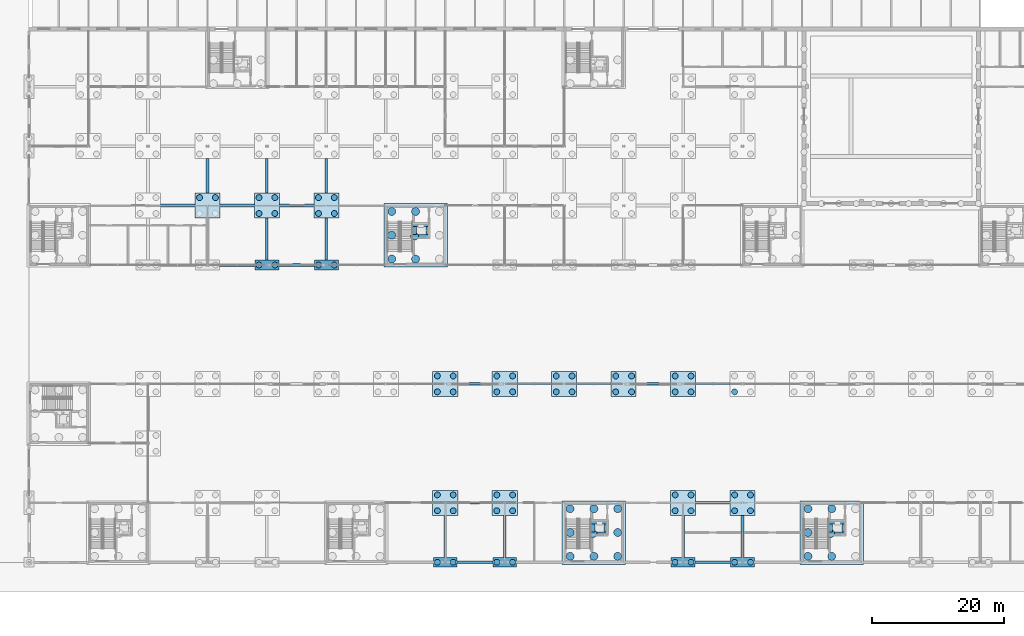
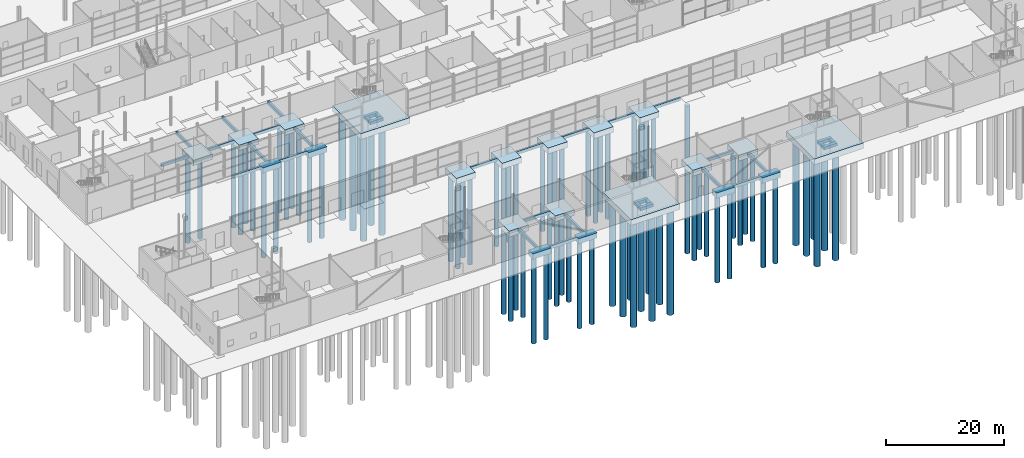
# One storey, part 2 of 97: 80 piles, 56 footings.
"""IFC4 building model written with IfcOpenShell, lengths in metres."""

import ifcopenshell
import ifcopenshell.guid

model = None  # the IFC model being written
_history = None  # IfcOwnerHistory: only IFC2X3 demands one
_inside = {}  # id of a spatial element -> (the spatial element, [elements in it])
_under = {}  # id of a project, library or spatial element -> (it, [spatial elements below it])
_declared = {}  # id of a project -> (the project, [libraries it declares])
_typed = {}  # id of a type object -> (the type object, [elements of that type])
_made_of = {}  # id of a material, layer set ... -> (it, [elements and type objects made of it])


def new_model(schema):
    """Start an empty IFC model of exactly this schema.

    Asked for "IFC4X3", IfcOpenShell would pick the latest addendum, in which some entities
    have other attributes; the version numbers below select the first issue.
    IFC2X3 requires an IfcOwnerHistory on every rooted entity: one is made here for all.
    """
    global model, _history
    if schema == "IFC4X3":
        model = ifcopenshell.file(schema_version=(4, 3, 0, 0))
    else:
        model = ifcopenshell.file(schema=schema)
    _inside.clear()
    _under.clear()
    _declared.clear()
    _typed.clear()
    _made_of.clear()
    _history = None
    if model.schema == "IFC2X3":
        org = make("IfcOrganization", Name="unknown")
        user = make(
            "IfcPersonAndOrganization",
            ThePerson=make("IfcPerson", FamilyName="unknown"),
            TheOrganization=org,
        )
        app = make(
            "IfcApplication",
            ApplicationDeveloper=org,
            Version="unknown",
            ApplicationFullName="unknown",
            ApplicationIdentifier="unknown",
        )
        _history = make(
            "IfcOwnerHistory",
            OwningUser=user,
            OwningApplication=app,
            ChangeAction="ADDED",
            CreationDate=0,
        )
    return model


def make(cls, **values):
    """One entity of the class cls with the attributes given. An attribute that is None is left unset."""
    return model.create_entity(
        cls, **{name: value for name, value in values.items() if value is not None}
    )


def rooted(cls, **values):
    """An entity with a GlobalId (a new one), such as an element, a storey or a relation."""
    return make(cls, GlobalId=ifcopenshell.guid.new(), OwnerHistory=_history, **values)


def si_unit(unit_type, name, prefix=None):
    """IfcSIUnit, for example si_unit("LENGTHUNIT", "METRE", prefix="MILLI")."""
    return make("IfcSIUnit", UnitType=unit_type, Prefix=prefix, Name=name)


def assignment(units):
    """IfcUnitAssignment: the units of a project."""
    return None if units is None else make("IfcUnitAssignment", Units=units)


def point(xyz):
    """IfcCartesianPoint."""
    return None if xyz is None else make("IfcCartesianPoint", Coordinates=xyz)


def direction(xyz):
    """IfcDirection."""
    return None if xyz is None else make("IfcDirection", DirectionRatios=xyz)


def frame(location, z_axis=None, x_axis=None):
    """IfcAxis2Placement3D, a coordinate frame: its origin and axes. An axis left out is left unset."""
    return make(
        "IfcAxis2Placement3D",
        Location=point(location),
        Axis=direction(z_axis),
        RefDirection=direction(x_axis),
    )


def frame_2d(location, x_axis=None):
    """IfcAxis2Placement2D, a coordinate frame in the plane: its origin and x axis."""
    return make(
        "IfcAxis2Placement2D", Location=point(location), RefDirection=direction(x_axis)
    )


def origin():
    """The frame at (0, 0, 0) with its axes left unset."""
    return frame((0.0, 0.0, 0.0))


def origin_2d():
    """The frame at (0, 0) in the plane with its x axis left unset."""
    return frame_2d((0.0, 0.0))


def place(relative_to, where):
    """IfcLocalPlacement: puts the frame where relative to a parent placement (None: the world)."""
    return make(
        "IfcLocalPlacement", PlacementRelTo=relative_to, RelativePlacement=where
    )


def context(
    kind, dimensions, precision=None, world=None, true_north=None, identifier=None
):
    """IfcGeometricRepresentationContext, for example the 3D "Model" context."""
    return make(
        "IfcGeometricRepresentationContext",
        ContextIdentifier=identifier,
        ContextType=kind,
        CoordinateSpaceDimension=dimensions,
        Precision=precision,
        WorldCoordinateSystem=world,
        TrueNorth=true_north,
    )


def subcontext(parent, identifier, kind, view, scale=None):
    """IfcGeometricRepresentationSubContext, for example "Body" below "Model"."""
    return make(
        "IfcGeometricRepresentationSubContext",
        ContextIdentifier=identifier,
        ContextType=kind,
        ParentContext=parent,
        TargetScale=scale,
        TargetView=view,
    )


def project(units=None, contexts=None):
    """IfcProject with its units and contexts."""
    return rooted(
        "IfcProject",
        Name="project",
        RepresentationContexts=contexts,
        UnitsInContext=assignment(units),
    )


def spatial(cls, under=None, at=None, **own):
    """A site, building, storey or space (cls), placed at a placement, below another one or the project."""
    s = rooted(cls, ObjectPlacement=at, **own)
    if under is not None:
        _under.setdefault(under.id(), (under, []))[1].append(s)
    return s


def polyline(points):
    """IfcPolyline through the points."""
    return make("IfcPolyline", Points=[point(p) for p in points])


def profile(cls, at=None, kind="AREA", **sizes):
    """A parametric profile (cls). Its sizes go by their IFC names, for example OverallWidth=200.0."""
    return make(cls, ProfileType=kind, Position=at, **sizes)


def rectangle(**sizes):
    """IfcRectangleProfileDef."""
    return profile("IfcRectangleProfileDef", **sizes)


def circle(**sizes):
    """IfcCircleProfileDef."""
    return profile("IfcCircleProfileDef", **sizes)


def outline(outer, holes=None, kind="AREA"):
    """IfcArbitraryClosedProfileDef: a profile drawn as a closed curve; with holes, ...WithVoids."""
    if holes is None:
        return make("IfcArbitraryClosedProfileDef", ProfileType=kind, OuterCurve=outer)
    return make(
        "IfcArbitraryProfileDefWithVoids",
        ProfileType=kind,
        OuterCurve=outer,
        InnerCurves=holes,
    )


def extrude(swept, where, along, depth):
    """IfcExtrudedAreaSolid: the profile swept, set in the frame where, extruded along a direction by depth."""
    return make(
        "IfcExtrudedAreaSolid",
        SweptArea=swept,
        Position=where,
        ExtrudedDirection=direction(along),
        Depth=depth,
    )


def shape(context_of_items, identifier, shape_type, items):
    """IfcShapeRepresentation: the items that make up one representation, for example the "Body"."""
    return make(
        "IfcShapeRepresentation",
        ContextOfItems=context_of_items,
        RepresentationIdentifier=identifier,
        RepresentationType=shape_type,
        Items=items,
    )


def material(Name=None, Category=None):
    """IfcMaterial."""
    return make("IfcMaterial", Name=Name, Category=Category)


def material_profile(
    of_material, cross_section, Name=None, Category=None, Priority=None
):
    """IfcMaterialProfile: a cross section and its material."""
    return make(
        "IfcMaterialProfile",
        Name=Name,
        Material=of_material,
        Profile=cross_section,
        Priority=Priority,
        Category=Category,
    )


def profile_set(profiles, Name=None, composite=None):
    """IfcMaterialProfileSet."""
    return make(
        "IfcMaterialProfileSet",
        Name=Name,
        MaterialProfiles=profiles,
        CompositeProfile=composite,
    )


def made_of(thing, what):
    """Note that an element or type object is made of a material, layer set ...; save() writes the relation."""
    if what is not None:
        _made_of.setdefault(what.id(), (what, []))[1].append(thing)
    return thing


def type_object(cls, material=None, **own):
    """A type object (cls), such as IfcWallType, which elements share."""
    return made_of(rooted(cls, **own), material)


def element(
    cls,
    number,
    at=None,
    inside=None,
    cuts=None,
    type_object=None,
    material=None,
    context=None,
    identifier="Body",
    shape_type=None,
    held_by="IfcProductDefinitionShape",
    body=None,
    shapes=None,
    **own,
):
    """One element of the class cls, such as IfcWall. Its Tag is "e" and its number.

    at: its placement. inside: the storey or other place that contains it. cuts: it is an
    opening in that element (IfcRelVoidsElement). A single representation is given by context,
    identifier, shape_type and body (its items); several are given by shapes. held_by: the class
    of the entity that holds the representations. save() writes the other relations.
    """
    e = rooted(cls, Tag="e%d" % number, ObjectPlacement=at, **own)
    if body is not None:
        shapes = [shape(context, identifier, shape_type, body)]
    if shapes is not None:
        e.Representation = make(held_by, Representations=shapes)
    if inside is not None:
        _inside.setdefault(inside.id(), (inside, []))[1].append(e)
    if cuts is not None:
        rooted(
            "IfcRelVoidsElement", RelatingBuildingElement=cuts, RelatedOpeningElement=e
        )
    if type_object is not None:
        _typed.setdefault(type_object.id(), (type_object, []))[1].append(e)
    return made_of(e, material)


def aggregate(whole, parts):
    """IfcRelAggregates: a whole, such as a stair, and the parts it consists of."""
    return rooted("IfcRelAggregates", RelatingObject=whole, RelatedObjects=parts)


def save(model, path):
    """Write the relations noted so far, then the file.

    IfcRelAggregates (storeys below a building ...), IfcRelContainedInSpatialStructure (elements
    in a storey), IfcRelDefinesByType, IfcRelAssociatesMaterial and IfcRelDeclares: one each for
    every whole, place, type object, material and project.
    """
    for whole, parts in _under.values():
        aggregate(whole, parts)
    for where, things in _inside.values():
        rooted(
            "IfcRelContainedInSpatialStructure",
            RelatedElements=things,
            RelatingStructure=where,
        )
    for kind, things in _typed.values():
        rooted("IfcRelDefinesByType", RelatedObjects=things, RelatingType=kind)
    for what, things in _made_of.values():
        rooted("IfcRelAssociatesMaterial", RelatedObjects=things, RelatingMaterial=what)
    for by, libraries in _declared.values():
        rooted("IfcRelDeclares", RelatingContext=by, RelatedDefinitions=libraries)
    model.write(path)


model = new_model("IFC4")

# Units and contexts
model_context = context("Model", 3, precision=1e-05, world=origin(), true_north=direction((0.0, 1.0)))
body_context = subcontext(model_context, "Body", "Model", "MODEL_VIEW")
ifc_project = project(units=[si_unit("LENGTHUNIT", "METRE"), si_unit("AREAUNIT", "SQUARE_METRE"), si_unit("VOLUMEUNIT", "CUBIC_METRE"), si_unit("PLANEANGLEUNIT", "RADIAN"), si_unit("MASSUNIT", "GRAM", prefix="KILO")], contexts=[model_context])

# Site, building, storey
site_placement = place(None, origin())
site = spatial("IfcSite", under=ifc_project, at=site_placement, CompositionType="ELEMENT")
building_placement = place(site_placement, origin())
building = spatial("IfcBuilding", under=site, at=building_placement, Name="Corbel Yard City Hall", CompositionType="ELEMENT")
storey_placement = place(building_placement, origin())
storey = spatial("IfcBuildingStorey", under=building, at=storey_placement, Name="L00", CompositionType="ELEMENT", Elevation=0.0)

# Piles
ifc_material = material(Name="Concrete N40 (40 MPa)", Category="concrete")
ifc_material_profile_1 = material_profile(ifc_material, circle(Radius=0.60009765625, at=origin_2d()), Name="D1200")
ifc_profile_set_1 = profile_set([ifc_material_profile_1], Name="Concrete N40 (40 MPa)")
pile_type_1 = type_object("IfcPileType", Name="Bored pile D1200", PredefinedType="BORED", material=ifc_profile_set_1)
for number, where, z_axis, x_axis, name in (
    (1, (81.89990234375, 0.89990234375, -1.10009765625), (0.0, 0.0, -1.0), (1.0, 0.0, 0.0), "Bored pile D1200 under core raft PC13"),
    (2, (81.89990234375, 4.5, -1.10009765625), (0.0, 0.0, -1.0), (1.0, 0.0, 0.0), "Bored pile D1200 under core raft PC13"),
    (3, (81.89990234375, 8.10009765625, -1.10009765625), (0.0, 0.0, -1.0), (1.0, 0.0, 0.0), "Bored pile D1200 under core raft PC13"),
    (4, (85.5, 0.89990234375, -1.10009765625), (0.0, 0.0, -1.0), (1.0, 0.0, 0.0), "Bored pile D1200 under core raft PC13"),
    (5, (85.35009765625, 4.35009765625, -1.10009765625), (0.0, 0.0, -1.0), (1.0, 0.0, 0.0), "Bored pile D1200 under core raft PC13"),
    (6, (85.5, 8.10009765625, -1.10009765625), (0.0, 0.0, -1.0), (1.0, 0.0, 0.0), "Bored pile D1200 under core raft PC13"),
    (7, (89.10009765625, 0.89990234375, -1.10009765625), (0.0, 0.0, -1.0), (1.0, 0.0, 0.0), "Bored pile D1200 under core raft PC13"),
    (8, (89.10009765625, 4.5, -1.10009765625), (0.0, 0.0, -1.0), (1.0, 0.0, 0.0), "Bored pile D1200 under core raft PC13"),
    (9, (89.10009765625, 8.10009765625, -1.10009765625), (0.0, 0.0, -1.0), (1.0, 0.0, 0.0), "Bored pile D1200 under core raft PC13"),
    (10, (117.89990234375, 0.89990234375, -1.10009765625), (0.0, 0.0, -1.0), (1.0, 0.0, 0.0), "Bored pile D1200 under core raft PC13"),
    (11, (117.89990234375, 4.5, -1.10009765625), (0.0, 0.0, -1.0), (1.0, 0.0, 0.0), "Bored pile D1200 under core raft PC13"),
    (12, (117.89990234375, 8.10009765625, -1.10009765625), (0.0, 0.0, -1.0), (1.0, 0.0, 0.0), "Bored pile D1200 under core raft PC13"),
    (13, (121.5, 0.89990234375, -1.10009765625), (0.0, 0.0, -1.0), (1.0, 0.0, 0.0), "Bored pile D1200 under core raft PC13"),
    (14, (121.35009765625, 4.35009765625, -1.10009765625), (0.0, 0.0, -1.0), (1.0, 0.0, 0.0), "Bored pile D1200 under core raft PC13"),
    (15, (121.5, 8.10009765625, -1.10009765625), (0.0, 0.0, -1.0), (1.0, 0.0, 0.0), "Bored pile D1200 under core raft PC13"),
    (16, (54.89990234375, 45.89990234375, -1.10009765625), (0.0, 0.0, -1.0), (1.0, 0.0, 0.0), "Bored pile D1200 under core raft PC13"),
    (17, (54.89990234375, 49.5, -1.10009765625), (0.0, 0.0, -1.0), (1.0, 0.0, 0.0), "Bored pile D1200 under core raft PC13"),
    (18, (54.89990234375, 53.10009765625, -1.10009765625), (0.0, 0.0, -1.0), (1.0, 0.0, 0.0), "Bored pile D1200 under core raft PC13"),
    (19, (58.5, 45.89990234375, -1.10009765625), (0.0, 0.0, -1.0), (1.0, 0.0, 0.0), "Bored pile D1200 under core raft PC13"),
    (20, (58.35009765625, 49.35009765625, -1.10009765625), (0.0, 0.0, -1.0), (1.0, 0.0, 0.0), "Bored pile D1200 under core raft PC13"),
    (21, (58.5, 53.10009765625, -1.10009765625), (0.0, 0.0, -1.0), (1.0, 0.0, 0.0), "Bored pile D1200 under core raft PC13"),
):
    element("IfcPile", number, at=place(storey_placement, frame(where, z_axis=z_axis, x_axis=x_axis)), inside=storey, type_object=pile_type_1, Name=name, PredefinedType="BORED", context=body_context, shape_type="SweptSolid", body=[
        extrude(circle(Radius=0.60009765625, at=origin_2d()), origin(), (0.0, 0.0, 1.0), 22.0),
    ])
ifc_material_profile_2 = material_profile(ifc_material, circle(Radius=0.449951171875, at=origin_2d()), Name="D900")
ifc_profile_set_2 = profile_set([ifc_material_profile_2], Name="Concrete N40 (40 MPa)")
pile_type_2 = type_object("IfcPileType", Name="Bored pile D900", PredefinedType="BORED", material=ifc_profile_set_2)
for number, where, z_axis, x_axis, name in (
    (22, (25.800048828125, 55.199951171875, -1.0), (0.0, 0.0, -1.0), (1.0, 0.0, 0.0), "Bored pile D900 under cap PC3 G/4"),
    (23, (28.199951171875, 55.199951171875, -1.0), (0.0, 0.0, -1.0), (1.0, 0.0, 0.0), "Bored pile D900 under cap PC3 G/4"),
    (24, (34.800048828125, 45.0, -1.0), (0.0, 0.0, -1.0), (1.0, 0.0, 0.0), "Bored pile D900 under cap PC6 F/5"),
    (25, (37.199951171875, 45.0, -1.0), (0.0, 0.0, -1.0), (1.0, 0.0, 0.0), "Bored pile D900 under cap PC6 F/5"),
    (26, (34.800048828125, 52.800048828125, -1.0), (0.0, 0.0, -1.0), (1.0, 0.0, 0.0), "Bored pile D900 under cap PC3 G/5"),
    (27, (34.800048828125, 55.199951171875, -1.0), (0.0, 0.0, -1.0), (1.0, 0.0, 0.0), "Bored pile D900 under cap PC3 G/5"),
    (28, (37.199951171875, 52.800048828125, -1.0), (0.0, 0.0, -1.0), (1.0, 0.0, 0.0), "Bored pile D900 under cap PC3 G/5"),
    (29, (37.199951171875, 55.199951171875, -1.0), (0.0, 0.0, -1.0), (1.0, 0.0, 0.0), "Bored pile D900 under cap PC3 G/5"),
    (30, (43.800048828125, 45.0, -1.0), (0.0, 0.0, -1.0), (1.0, 0.0, 0.0), "Bored pile D900 under cap PC6 F/6"),
    (31, (46.199951171875, 45.0, -1.0), (0.0, 0.0, -1.0), (1.0, 0.0, 0.0), "Bored pile D900 under cap PC6 F/6"),
    (32, (43.800048828125, 52.800048828125, -1.0), (0.0, 0.0, -1.0), (1.0, 0.0, 0.0), "Bored pile D900 under cap PC3 G/6"),
    (33, (43.800048828125, 55.199951171875, -1.0), (0.0, 0.0, -1.0), (1.0, 0.0, 0.0), "Bored pile D900 under cap PC3 G/6"),
    (34, (46.199951171875, 52.800048828125, -1.0), (0.0, 0.0, -1.0), (1.0, 0.0, 0.0), "Bored pile D900 under cap PC3 G/6"),
    (35, (46.199951171875, 55.199951171875, -1.0), (0.0, 0.0, -1.0), (1.0, 0.0, 0.0), "Bored pile D900 under cap PC3 G/6"),
    (36, (61.800048828125, 0.0, -1.0), (0.0, 0.0, -1.0), (1.0, 0.0, 0.0), "Bored pile D900 under cap PC6 A/8"),
    (37, (64.199951171875, 0.0, -1.0), (0.0, 0.0, -1.0), (1.0, 0.0, 0.0), "Bored pile D900 under cap PC6 A/8"),
    (38, (61.800048828125, 7.800048828125, -1.10009765625), (0.0, 0.0, -1.0), (1.0, 0.0, 0.0), "Bored pile D900 under cap PC5 B/8"),
    (39, (61.800048828125, 10.199951171875, -1.10009765625), (0.0, 0.0, -1.0), (1.0, 0.0, 0.0), "Bored pile D900 under cap PC5 B/8"),
    (40, (64.199951171875, 7.800048828125, -1.10009765625), (0.0, 0.0, -1.0), (1.0, 0.0, 0.0), "Bored pile D900 under cap PC5 B/8"),
    (41, (64.199951171875, 10.199951171875, -1.10009765625), (0.0, 0.0, -1.0), (1.0, 0.0, 0.0), "Bored pile D900 under cap PC5 B/8"),
    (42, (61.800048828125, 25.800048828125, -1.10009765625), (0.0, 0.0, -1.0), (1.0, 0.0, 0.0), "Bored pile D900 under cap PC5 D/8"),
    (43, (61.800048828125, 28.199951171875, -1.10009765625), (0.0, 0.0, -1.0), (1.0, 0.0, 0.0), "Bored pile D900 under cap PC5 D/8"),
    (44, (64.199951171875, 25.800048828125, -1.10009765625), (0.0, 0.0, -1.0), (1.0, 0.0, 0.0), "Bored pile D900 under cap PC5 D/8"),
    (45, (64.199951171875, 28.199951171875, -1.10009765625), (0.0, 0.0, -1.0), (1.0, 0.0, 0.0), "Bored pile D900 under cap PC5 D/8"),
    (46, (70.800048828125, 0.0, -1.0), (0.0, 0.0, -1.0), (1.0, 0.0, 0.0), "Bored pile D900 under cap PC6 A/9"),
    (47, (73.199951171875, 0.0, -1.0), (0.0, 0.0, -1.0), (1.0, 0.0, 0.0), "Bored pile D900 under cap PC6 A/9"),
    (48, (70.800048828125, 7.800048828125, -1.10009765625), (0.0, 0.0, -1.0), (1.0, 0.0, 0.0), "Bored pile D900 under cap PC5 B/9"),
    (49, (70.800048828125, 10.199951171875, -1.10009765625), (0.0, 0.0, -1.0), (1.0, 0.0, 0.0), "Bored pile D900 under cap PC5 B/9"),
    (50, (73.199951171875, 7.800048828125, -1.10009765625), (0.0, 0.0, -1.0), (1.0, 0.0, 0.0), "Bored pile D900 under cap PC5 B/9"),
    (51, (73.199951171875, 10.199951171875, -1.10009765625), (0.0, 0.0, -1.0), (1.0, 0.0, 0.0), "Bored pile D900 under cap PC5 B/9"),
    (52, (70.800048828125, 25.800048828125, -1.10009765625), (0.0, 0.0, -1.0), (1.0, 0.0, 0.0), "Bored pile D900 under cap PC5 D/9"),
    (53, (70.800048828125, 28.199951171875, -1.10009765625), (0.0, 0.0, -1.0), (1.0, 0.0, 0.0), "Bored pile D900 under cap PC5 D/9"),
    (54, (73.199951171875, 25.800048828125, -1.10009765625), (0.0, 0.0, -1.0), (1.0, 0.0, 0.0), "Bored pile D900 under cap PC5 D/9"),
    (55, (73.199951171875, 28.199951171875, -1.10009765625), (0.0, 0.0, -1.0), (1.0, 0.0, 0.0), "Bored pile D900 under cap PC5 D/9"),
    (56, (79.800048828125, 25.800048828125, -1.10009765625), (0.0, 0.0, -1.0), (1.0, 0.0, 0.0), "Bored pile D900 under cap PC5 D/10"),
    (57, (79.800048828125, 28.199951171875, -1.10009765625), (0.0, 0.0, -1.0), (1.0, 0.0, 0.0), "Bored pile D900 under cap PC5 D/10"),
    (58, (82.199951171875, 25.800048828125, -1.10009765625), (0.0, 0.0, -1.0), (1.0, 0.0, 0.0), "Bored pile D900 under cap PC5 D/10"),
    (59, (82.199951171875, 28.199951171875, -1.10009765625), (0.0, 0.0, -1.0), (1.0, 0.0, 0.0), "Bored pile D900 under cap PC5 D/10"),
    (60, (88.800048828125, 25.800048828125, -1.10009765625), (0.0, 0.0, -1.0), (1.0, 0.0, 0.0), "Bored pile D900 under cap PC5 D/11"),
    (61, (88.800048828125, 28.199951171875, -1.10009765625), (0.0, 0.0, -1.0), (1.0, 0.0, 0.0), "Bored pile D900 under cap PC5 D/11"),
    (62, (91.199951171875, 25.800048828125, -1.10009765625), (0.0, 0.0, -1.0), (1.0, 0.0, 0.0), "Bored pile D900 under cap PC5 D/11"),
    (63, (91.199951171875, 28.199951171875, -1.10009765625), (0.0, 0.0, -1.0), (1.0, 0.0, 0.0), "Bored pile D900 under cap PC5 D/11"),
    (64, (97.800048828125, 0.0, -1.0), (0.0, 0.0, -1.0), (1.0, 0.0, 0.0), "Bored pile D900 under cap PC6 A/12"),
    (65, (100.199951171875, 0.0, -1.0), (0.0, 0.0, -1.0), (1.0, 0.0, 0.0), "Bored pile D900 under cap PC6 A/12"),
    (66, (97.800048828125, 7.800048828125, -1.10009765625), (0.0, 0.0, -1.0), (1.0, 0.0, 0.0), "Bored pile D900 under cap PC5 B/12"),
    (67, (97.800048828125, 10.199951171875, -1.10009765625), (0.0, 0.0, -1.0), (1.0, 0.0, 0.0), "Bored pile D900 under cap PC5 B/12"),
    (68, (100.199951171875, 7.800048828125, -1.10009765625), (0.0, 0.0, -1.0), (1.0, 0.0, 0.0), "Bored pile D900 under cap PC5 B/12"),
    (69, (100.199951171875, 10.199951171875, -1.10009765625), (0.0, 0.0, -1.0), (1.0, 0.0, 0.0), "Bored pile D900 under cap PC5 B/12"),
    (70, (97.800048828125, 25.800048828125, -1.10009765625), (0.0, 0.0, -1.0), (1.0, 0.0, 0.0), "Bored pile D900 under cap PC5 D/12"),
    (71, (97.800048828125, 28.199951171875, -1.10009765625), (0.0, 0.0, -1.0), (1.0, 0.0, 0.0), "Bored pile D900 under cap PC5 D/12"),
    (72, (100.199951171875, 25.800048828125, -1.10009765625), (0.0, 0.0, -1.0), (1.0, 0.0, 0.0), "Bored pile D900 under cap PC5 D/12"),
    (73, (100.199951171875, 28.199951171875, -1.10009765625), (0.0, 0.0, -1.0), (1.0, 0.0, 0.0), "Bored pile D900 under cap PC5 D/12"),
    (74, (106.800048828125, 0.0, -1.0), (0.0, 0.0, -1.0), (1.0, 0.0, 0.0), "Bored pile D900 under cap PC6 A/13"),
    (75, (109.199951171875, 0.0, -1.0), (0.0, 0.0, -1.0), (1.0, 0.0, 0.0), "Bored pile D900 under cap PC6 A/13"),
    (76, (106.800048828125, 7.800048828125, -1.10009765625), (0.0, 0.0, -1.0), (1.0, 0.0, 0.0), "Bored pile D900 under cap PC5 B/13"),
    (77, (106.800048828125, 10.199951171875, -1.10009765625), (0.0, 0.0, -1.0), (1.0, 0.0, 0.0), "Bored pile D900 under cap PC5 B/13"),
    (78, (109.199951171875, 7.800048828125, -1.10009765625), (0.0, 0.0, -1.0), (1.0, 0.0, 0.0), "Bored pile D900 under cap PC5 B/13"),
    (79, (109.199951171875, 10.199951171875, -1.10009765625), (0.0, 0.0, -1.0), (1.0, 0.0, 0.0), "Bored pile D900 under cap PC5 B/13"),
    (80, (106.800048828125, 25.800048828125, -1.10009765625), (0.0, 0.0, -1.0), (1.0, 0.0, 0.0), "Bored pile D900 under cap PC5 D/13"),
):
    element("IfcPile", number, at=place(storey_placement, frame(where, z_axis=z_axis, x_axis=x_axis)), inside=storey, type_object=pile_type_2, Name=name, PredefinedType="BORED", context=body_context, shape_type="SweptSolid", body=[
        extrude(circle(Radius=0.449951171875, at=origin_2d()), origin(), (0.0, 0.0, 1.0), 18.0),
    ])

# Footings
footing_type_1 = type_object("IfcFootingType", Name="Core cell raft 9.6 x 9.6 x 1.2", PredefinedType="PILE_CAP", material=ifc_material)
footing_1_placement = place(storey_placement, frame((0.0, 0.0, -1.199951171875)))
element("IfcFooting", 81, at=footing_1_placement, inside=storey, type_object=footing_type_1, Name="Core cell raft PC13 PC-S2", PredefinedType="PILE_CAP", context=body_context, shape_type="SweptSolid", body=[
    extrude(outline(polyline([(80.699951171875, -0.300048828125), (90.300048828125, -0.300048828125), (90.300048828125, 9.300048828125), (80.699951171875, 9.300048828125), (80.699951171875, -0.300048828125)])), origin(), (0.0, 0.0, 1.0), 1.199951171875),
])
footing_2_placement = place(storey_placement, frame((0.0, 0.0, -1.199951171875)))
element("IfcFooting", 82, at=footing_2_placement, inside=storey, type_object=footing_type_1, Name="Core cell raft PC13 PC-S3", PredefinedType="PILE_CAP", context=body_context, shape_type="SweptSolid", body=[
    extrude(outline(polyline([(116.699951171875, -0.300048828125), (126.300048828125, -0.300048828125), (126.300048828125, 9.300048828125), (116.699951171875, 9.300048828125), (116.699951171875, -0.300048828125)])), origin(), (0.0, 0.0, 1.0), 1.199951171875),
])
footing_3_placement = place(storey_placement, frame((0.0, 0.0, -1.199951171875)))
element("IfcFooting", 83, at=footing_3_placement, inside=storey, type_object=footing_type_1, Name="Core cell raft PC13 PC-M2", PredefinedType="PILE_CAP", context=body_context, shape_type="SweptSolid", body=[
    extrude(outline(polyline([(53.699951171875, 44.699951171875), (63.300048828125, 44.699951171875), (63.300048828125, 54.300048828125), (53.699951171875, 54.300048828125), (53.699951171875, 44.699951171875)])), origin(), (0.0, 0.0, 1.0), 1.199951171875),
])
footing_type_2 = type_object("IfcFootingType", Name="Ground beam 400 x 600", PredefinedType="FOOTING_BEAM", material=ifc_material)
footing_4_placement = place(storey_placement, frame((22.5, 54.0, -0.60009765625), z_axis=(0.0, 0.0, 1.0), x_axis=(1.0, 0.0, 0.0)))
element("IfcFooting", 84, at=footing_4_placement, inside=storey, type_object=footing_type_2, Name="Ground beam 400 x 600 G/3-G/4", PredefinedType="FOOTING_BEAM", context=body_context, shape_type="SweptSolid", body=[
    extrude(rectangle(XDim=5.199951171875, YDim=0.39990234375, at=origin_2d()), origin(), (0.0, 0.0, 1.0), 0.60009765625),
])
footing_5_placement = place(storey_placement, frame((31.5, 45.0, -0.60009765625), z_axis=(0.0, 0.0, 1.0), x_axis=(1.0, 0.0, 0.0)))
element("IfcFooting", 85, at=footing_5_placement, inside=storey, type_object=footing_type_2, Name="Ground beam 400 x 600 F/4-F/5", PredefinedType="FOOTING_BEAM", context=body_context, shape_type="SweptSolid", body=[
    extrude(rectangle(XDim=5.39990234375, YDim=0.39990234375, at=origin_2d()), origin(), (0.0, 0.0, 1.0), 0.60009765625),
])
footing_6_placement = place(storey_placement, frame((31.5, 54.0, -0.60009765625), z_axis=(0.0, 0.0, 1.0), x_axis=(1.0, 0.0, 0.0)))
element("IfcFooting", 86, at=footing_6_placement, inside=storey, type_object=footing_type_2, Name="Ground beam 400 x 600 G/4-G/5", PredefinedType="FOOTING_BEAM", context=body_context, shape_type="SweptSolid", body=[
    extrude(rectangle(XDim=5.199951171875, YDim=0.39990234375, at=origin_2d()), origin(), (0.0, 0.0, 1.0), 0.60009765625),
])
footing_7_placement = place(storey_placement, frame((27.0, 58.5, -0.60009765625), z_axis=(0.0, 0.0, 1.0), x_axis=(1.0, 0.0, 0.0)))
element("IfcFooting", 87, at=footing_7_placement, inside=storey, type_object=footing_type_2, Name="Ground beam 400 x 600 G/4-H/4", PredefinedType="FOOTING_BEAM", context=body_context, shape_type="SweptSolid", body=[
    extrude(rectangle(XDim=0.39990234375, YDim=5.199951171875, at=origin_2d()), origin(), (0.0, 0.0, 1.0), 0.60009765625),
])
footing_8_placement = place(storey_placement, frame((40.5, 45.0, -0.60009765625), z_axis=(0.0, 0.0, 1.0), x_axis=(1.0, 0.0, 0.0)))
element("IfcFooting", 88, at=footing_8_placement, inside=storey, type_object=footing_type_2, Name="Ground beam 400 x 600 F/5-F/6", PredefinedType="FOOTING_BEAM", context=body_context, shape_type="SweptSolid", body=[
    extrude(rectangle(XDim=5.39990234375, YDim=0.39990234375, at=origin_2d()), origin(), (0.0, 0.0, 1.0), 0.60009765625),
])
footing_9_placement = place(storey_placement, frame((36.0, 48.925048828125, -0.60009765625), z_axis=(0.0, 0.0, 1.0), x_axis=(1.0, 0.0, 0.0)))
element("IfcFooting", 89, at=footing_9_placement, inside=storey, type_object=footing_type_2, Name="Ground beam 400 x 600 F/5-G/5", PredefinedType="FOOTING_BEAM", context=body_context, shape_type="SweptSolid", body=[
    extrude(rectangle(XDim=0.39990234375, YDim=6.35009765625, at=origin_2d()), origin(), (0.0, 0.0, 1.0), 0.60009765625),
])
footing_10_placement = place(storey_placement, frame((40.5, 54.0, -0.60009765625), z_axis=(0.0, 0.0, 1.0), x_axis=(1.0, 0.0, 0.0)))
element("IfcFooting", 90, at=footing_10_placement, inside=storey, type_object=footing_type_2, Name="Ground beam 400 x 600 G/5-G/6", PredefinedType="FOOTING_BEAM", context=body_context, shape_type="SweptSolid", body=[
    extrude(rectangle(XDim=5.199951171875, YDim=0.39990234375, at=origin_2d()), origin(), (0.0, 0.0, 1.0), 0.60009765625),
])
footing_11_placement = place(storey_placement, frame((36.0, 58.5, -0.60009765625), z_axis=(0.0, 0.0, 1.0), x_axis=(1.0, 0.0, 0.0)))
element("IfcFooting", 91, at=footing_11_placement, inside=storey, type_object=footing_type_2, Name="Ground beam 400 x 600 G/5-H/5", PredefinedType="FOOTING_BEAM", context=body_context, shape_type="SweptSolid", body=[
    extrude(rectangle(XDim=0.39990234375, YDim=5.199951171875, at=origin_2d()), origin(), (0.0, 0.0, 1.0), 0.60009765625),
])
footing_12_placement = place(storey_placement, frame((45.0, 48.925048828125, -0.60009765625), z_axis=(0.0, 0.0, 1.0), x_axis=(1.0, 0.0, 0.0)))
element("IfcFooting", 92, at=footing_12_placement, inside=storey, type_object=footing_type_2, Name="Ground beam 400 x 600 F/6-G/6", PredefinedType="FOOTING_BEAM", context=body_context, shape_type="SweptSolid", body=[
    extrude(rectangle(XDim=0.39990234375, YDim=6.35009765625, at=origin_2d()), origin(), (0.0, 0.0, 1.0), 0.60009765625),
])
footing_13_placement = place(storey_placement, frame((45.0, 58.5, -0.60009765625), z_axis=(0.0, 0.0, 1.0), x_axis=(1.0, 0.0, 0.0)))
element("IfcFooting", 93, at=footing_13_placement, inside=storey, type_object=footing_type_2, Name="Ground beam 400 x 600 G/6-H/6", PredefinedType="FOOTING_BEAM", context=body_context, shape_type="SweptSolid", body=[
    extrude(rectangle(XDim=0.39990234375, YDim=5.199951171875, at=origin_2d()), origin(), (0.0, 0.0, 1.0), 0.60009765625),
])
footing_14_placement = place(storey_placement, frame((67.5, 0.0, -0.60009765625), z_axis=(0.0, 0.0, 1.0), x_axis=(1.0, 0.0, 0.0)))
element("IfcFooting", 94, at=footing_14_placement, inside=storey, type_object=footing_type_2, Name="Ground beam 400 x 600 A/8-A/9", PredefinedType="FOOTING_BEAM", context=body_context, shape_type="SweptSolid", body=[
    extrude(rectangle(XDim=5.39990234375, YDim=0.39990234375, at=origin_2d()), origin(), (0.0, 0.0, 1.0), 0.60009765625),
])
footing_15_placement = place(storey_placement, frame((63.0, 3.925048828125, -0.60009765625), z_axis=(0.0, 0.0, 1.0), x_axis=(1.0, 0.0, 0.0)))
element("IfcFooting", 95, at=footing_15_placement, inside=storey, type_object=footing_type_2, Name="Ground beam 400 x 600 A/8-B/8", PredefinedType="FOOTING_BEAM", context=body_context, shape_type="SweptSolid", body=[
    extrude(rectangle(XDim=0.39990234375, YDim=6.35009765625, at=origin_2d()), origin(), (0.0, 0.0, 1.0), 0.60009765625),
])
for number, where, z_axis, x_axis, name in (
    (96, (67.5, 9.0, -0.60009765625), (0.0, 0.0, 1.0), (1.0, 0.0, 0.0), "Ground beam 400 x 600 B/8-B/9"),
    (97, (67.5, 27.0, -0.60009765625), (0.0, 0.0, 1.0), (1.0, 0.0, 0.0), "Ground beam 400 x 600 D/8-D/9"),
):
    element("IfcFooting", number, at=place(storey_placement, frame(where, z_axis=z_axis, x_axis=x_axis)), inside=storey, type_object=footing_type_2, Name=name, PredefinedType="FOOTING_BEAM", context=body_context, shape_type="SweptSolid", body=[
        extrude(rectangle(XDim=5.199951171875, YDim=0.39990234375, at=origin_2d()), origin(), (0.0, 0.0, 1.0), 0.60009765625),
    ])
footing_16_placement = place(storey_placement, frame((72.0, 3.925048828125, -0.60009765625), z_axis=(0.0, 0.0, 1.0), x_axis=(1.0, 0.0, 0.0)))
element("IfcFooting", 98, at=footing_16_placement, inside=storey, type_object=footing_type_2, Name="Ground beam 400 x 600 A/9-B/9", PredefinedType="FOOTING_BEAM", context=body_context, shape_type="SweptSolid", body=[
    extrude(rectangle(XDim=0.39990234375, YDim=6.35009765625, at=origin_2d()), origin(), (0.0, 0.0, 1.0), 0.60009765625),
])
for number, where, z_axis, x_axis, name in (
    (99, (76.5, 27.0, -0.60009765625), (0.0, 0.0, 1.0), (1.0, 0.0, 0.0), "Ground beam 400 x 600 D/9-D/10"),
    (100, (85.5, 27.0, -0.60009765625), (0.0, 0.0, 1.0), (1.0, 0.0, 0.0), "Ground beam 400 x 600 D/10-D/11"),
    (101, (94.5, 27.0, -0.60009765625), (0.0, 0.0, 1.0), (1.0, 0.0, 0.0), "Ground beam 400 x 600 D/11-D/12"),
):
    element("IfcFooting", number, at=place(storey_placement, frame(where, z_axis=z_axis, x_axis=x_axis)), inside=storey, type_object=footing_type_2, Name=name, PredefinedType="FOOTING_BEAM", context=body_context, shape_type="SweptSolid", body=[
        extrude(rectangle(XDim=5.199951171875, YDim=0.39990234375, at=origin_2d()), origin(), (0.0, 0.0, 1.0), 0.60009765625),
    ])
footing_17_placement = place(storey_placement, frame((103.5, 0.0, -0.60009765625), z_axis=(0.0, 0.0, 1.0), x_axis=(1.0, 0.0, 0.0)))
element("IfcFooting", 102, at=footing_17_placement, inside=storey, type_object=footing_type_2, Name="Ground beam 400 x 600 A/12-A/13", PredefinedType="FOOTING_BEAM", context=body_context, shape_type="SweptSolid", body=[
    extrude(rectangle(XDim=5.39990234375, YDim=0.39990234375, at=origin_2d()), origin(), (0.0, 0.0, 1.0), 0.60009765625),
])
footing_18_placement = place(storey_placement, frame((99.0, 3.925048828125, -0.60009765625), z_axis=(0.0, 0.0, 1.0), x_axis=(1.0, 0.0, 0.0)))
element("IfcFooting", 103, at=footing_18_placement, inside=storey, type_object=footing_type_2, Name="Ground beam 400 x 600 A/12-B/12", PredefinedType="FOOTING_BEAM", context=body_context, shape_type="SweptSolid", body=[
    extrude(rectangle(XDim=0.39990234375, YDim=6.35009765625, at=origin_2d()), origin(), (0.0, 0.0, 1.0), 0.60009765625),
])
for number, where, z_axis, x_axis, name in (
    (104, (103.5, 9.0, -0.60009765625), (0.0, 0.0, 1.0), (1.0, 0.0, 0.0), "Ground beam 400 x 600 B/12-B/13"),
    (105, (103.5, 27.0, -0.60009765625), (0.0, 0.0, 1.0), (1.0, 0.0, 0.0), "Ground beam 400 x 600 D/12-D/13"),
):
    element("IfcFooting", number, at=place(storey_placement, frame(where, z_axis=z_axis, x_axis=x_axis)), inside=storey, type_object=footing_type_2, Name=name, PredefinedType="FOOTING_BEAM", context=body_context, shape_type="SweptSolid", body=[
        extrude(rectangle(XDim=5.199951171875, YDim=0.39990234375, at=origin_2d()), origin(), (0.0, 0.0, 1.0), 0.60009765625),
    ])
footing_19_placement = place(storey_placement, frame((108.0, 3.925048828125, -0.60009765625), z_axis=(0.0, 0.0, 1.0), x_axis=(1.0, 0.0, 0.0)))
element("IfcFooting", 106, at=footing_19_placement, inside=storey, type_object=footing_type_2, Name="Ground beam 400 x 600 A/13-B/13", PredefinedType="FOOTING_BEAM", context=body_context, shape_type="SweptSolid", body=[
    extrude(rectangle(XDim=0.39990234375, YDim=6.35009765625, at=origin_2d()), origin(), (0.0, 0.0, 1.0), 0.60009765625),
])
footing_type_3 = type_object("IfcFootingType", Name="Lift pit strip footing 600 x 600", PredefinedType="FOOTING_BEAM", material=ifc_material)
footing_20_placement = place(storey_placement, frame((0.0, 0.0, -2.300048828125)))
element("IfcFooting", 107, at=footing_20_placement, inside=storey, type_object=footing_type_3, Name="Lift pit strip footing LP3 S", PredefinedType="FOOTING_BEAM", context=body_context, shape_type="SweptSolid", body=[
    extrude(outline(polyline([(87.64990234375, 4.0), (87.64990234375, 4.60009765625), (85.050048828125, 4.60009765625), (85.050048828125, 4.0), (87.64990234375, 4.0)])), origin(), (0.0, 0.0, 1.0), 0.60009765625),
])
footing_21_placement = place(storey_placement, frame((0.0, 0.0, -2.300048828125)))
element("IfcFooting", 108, at=footing_21_placement, inside=storey, type_object=footing_type_3, Name="Lift pit strip footing LP3 N", PredefinedType="FOOTING_BEAM", context=body_context, shape_type="SweptSolid", body=[
    extrude(outline(polyline([(87.64990234375, 5.800048828125), (87.64990234375, 6.39990234375), (85.050048828125, 6.39990234375), (85.050048828125, 5.800048828125), (87.64990234375, 5.800048828125)])), origin(), (0.0, 0.0, 1.0), 0.60009765625),
])
footing_22_placement = place(storey_placement, frame((0.0, 0.0, -2.300048828125)))
element("IfcFooting", 109, at=footing_22_placement, inside=storey, type_object=footing_type_3, Name="Lift pit strip footing LP3 W", PredefinedType="FOOTING_BEAM", context=body_context, shape_type="SweptSolid", body=[
    extrude(outline(polyline([(85.64990234375, 4.60009765625), (85.64990234375, 5.800048828125), (85.050048828125, 5.800048828125), (85.050048828125, 4.60009765625), (85.64990234375, 4.60009765625)])), origin(), (0.0, 0.0, 1.0), 0.60009765625),
])
footing_23_placement = place(storey_placement, frame((0.0, 0.0, -2.300048828125)))
element("IfcFooting", 110, at=footing_23_placement, inside=storey, type_object=footing_type_3, Name="Lift pit strip footing LP3 E", PredefinedType="FOOTING_BEAM", context=body_context, shape_type="SweptSolid", body=[
    extrude(outline(polyline([(87.64990234375, 4.60009765625), (87.64990234375, 5.800048828125), (87.050048828125, 5.800048828125), (87.050048828125, 4.60009765625), (87.64990234375, 4.60009765625)])), origin(), (0.0, 0.0, 1.0), 0.60009765625),
])
footing_24_placement = place(storey_placement, frame((0.0, 0.0, -2.300048828125)))
element("IfcFooting", 111, at=footing_24_placement, inside=storey, type_object=footing_type_3, Name="Lift pit strip footing LP4 S", PredefinedType="FOOTING_BEAM", context=body_context, shape_type="SweptSolid", body=[
    extrude(outline(polyline([(123.64990234375, 4.0), (123.64990234375, 4.60009765625), (121.050048828125, 4.60009765625), (121.050048828125, 4.0), (123.64990234375, 4.0)])), origin(), (0.0, 0.0, 1.0), 0.60009765625),
])
footing_25_placement = place(storey_placement, frame((0.0, 0.0, -2.300048828125)))
element("IfcFooting", 112, at=footing_25_placement, inside=storey, type_object=footing_type_3, Name="Lift pit strip footing LP4 N", PredefinedType="FOOTING_BEAM", context=body_context, shape_type="SweptSolid", body=[
    extrude(outline(polyline([(123.64990234375, 5.800048828125), (123.64990234375, 6.39990234375), (121.050048828125, 6.39990234375), (121.050048828125, 5.800048828125), (123.64990234375, 5.800048828125)])), origin(), (0.0, 0.0, 1.0), 0.60009765625),
])
footing_26_placement = place(storey_placement, frame((0.0, 0.0, -2.300048828125)))
element("IfcFooting", 113, at=footing_26_placement, inside=storey, type_object=footing_type_3, Name="Lift pit strip footing LP4 W", PredefinedType="FOOTING_BEAM", context=body_context, shape_type="SweptSolid", body=[
    extrude(outline(polyline([(121.64990234375, 4.60009765625), (121.64990234375, 5.800048828125), (121.050048828125, 5.800048828125), (121.050048828125, 4.60009765625), (121.64990234375, 4.60009765625)])), origin(), (0.0, 0.0, 1.0), 0.60009765625),
])
footing_27_placement = place(storey_placement, frame((0.0, 0.0, -2.300048828125)))
element("IfcFooting", 114, at=footing_27_placement, inside=storey, type_object=footing_type_3, Name="Lift pit strip footing LP4 E", PredefinedType="FOOTING_BEAM", context=body_context, shape_type="SweptSolid", body=[
    extrude(outline(polyline([(123.64990234375, 4.60009765625), (123.64990234375, 5.800048828125), (123.050048828125, 5.800048828125), (123.050048828125, 4.60009765625), (123.64990234375, 4.60009765625)])), origin(), (0.0, 0.0, 1.0), 0.60009765625),
])
footing_28_placement = place(storey_placement, frame((0.0, 0.0, -2.300048828125)))
element("IfcFooting", 115, at=footing_28_placement, inside=storey, type_object=footing_type_3, Name="Lift pit strip footing LP9 S", PredefinedType="FOOTING_BEAM", context=body_context, shape_type="SweptSolid", body=[
    extrude(outline(polyline([(60.64990234375, 49.0), (60.64990234375, 49.60009765625), (58.050048828125, 49.60009765625), (58.050048828125, 49.0), (60.64990234375, 49.0)])), origin(), (0.0, 0.0, 1.0), 0.60009765625),
])
footing_29_placement = place(storey_placement, frame((0.0, 0.0, -2.300048828125)))
element("IfcFooting", 116, at=footing_29_placement, inside=storey, type_object=footing_type_3, Name="Lift pit strip footing LP9 N", PredefinedType="FOOTING_BEAM", context=body_context, shape_type="SweptSolid", body=[
    extrude(outline(polyline([(60.64990234375, 50.800048828125), (60.64990234375, 51.39990234375), (58.050048828125, 51.39990234375), (58.050048828125, 50.800048828125), (60.64990234375, 50.800048828125)])), origin(), (0.0, 0.0, 1.0), 0.60009765625),
])
footing_30_placement = place(storey_placement, frame((0.0, 0.0, -2.300048828125)))
element("IfcFooting", 117, at=footing_30_placement, inside=storey, type_object=footing_type_3, Name="Lift pit strip footing LP9 W", PredefinedType="FOOTING_BEAM", context=body_context, shape_type="SweptSolid", body=[
    extrude(outline(polyline([(58.64990234375, 49.60009765625), (58.64990234375, 50.800048828125), (58.050048828125, 50.800048828125), (58.050048828125, 49.60009765625), (58.64990234375, 49.60009765625)])), origin(), (0.0, 0.0, 1.0), 0.60009765625),
])
footing_31_placement = place(storey_placement, frame((0.0, 0.0, -2.300048828125)))
element("IfcFooting", 118, at=footing_31_placement, inside=storey, type_object=footing_type_3, Name="Lift pit strip footing LP9 E", PredefinedType="FOOTING_BEAM", context=body_context, shape_type="SweptSolid", body=[
    extrude(outline(polyline([(60.64990234375, 49.60009765625), (60.64990234375, 50.800048828125), (60.050048828125, 50.800048828125), (60.050048828125, 49.60009765625), (60.64990234375, 49.60009765625)])), origin(), (0.0, 0.0, 1.0), 0.60009765625),
])
footing_type_4 = type_object("IfcFootingType", Name="Pile cap (column) 3.8 x 3.8 x 1.1", PredefinedType="PILE_CAP", material=ifc_material)
for number, where, z_axis, x_axis, name in (
    (119, (27.0, 54.0, -1.10009765625), (0.0, 0.0, 1.0), (1.0, 0.0, 0.0), "Pile cap PC3 G/4"),
    (120, (36.0, 54.0, -1.10009765625), (0.0, 0.0, 1.0), (1.0, 0.0, 0.0), "Pile cap PC3 G/5"),
    (121, (45.0, 54.0, -1.10009765625), (0.0, 0.0, 1.0), (1.0, 0.0, 0.0), "Pile cap PC3 G/6"),
):
    element("IfcFooting", number, at=place(storey_placement, frame(where, z_axis=z_axis, x_axis=x_axis)), inside=storey, type_object=footing_type_4, Name=name, PredefinedType="PILE_CAP", context=body_context, shape_type="SweptSolid", body=[
        extrude(rectangle(XDim=3.800048828125, YDim=3.800048828125, at=origin_2d()), origin(), (0.0, 0.0, 1.0), 1.10009765625),
    ])
footing_type_5 = type_object("IfcFootingType", Name="Pile cap (edge column, two piles) 3.6 x 1.5 x 1.1", PredefinedType="PILE_CAP", material=ifc_material)
for number, where, z_axis, x_axis, name in (
    (122, (36.0, 45.0, -1.10009765625), (0.0, 0.0, 1.0), (1.0, 0.0, 0.0), "Pile cap PC6 F/5"),
    (123, (45.0, 45.0, -1.10009765625), (0.0, 0.0, 1.0), (1.0, 0.0, 0.0), "Pile cap PC6 F/6"),
    (124, (63.0, 0.0, -1.10009765625), (0.0, 0.0, 1.0), (1.0, 0.0, 0.0), "Pile cap PC6 A/8"),
    (125, (72.0, 0.0, -1.10009765625), (0.0, 0.0, 1.0), (1.0, 0.0, 0.0), "Pile cap PC6 A/9"),
    (126, (99.0, 0.0, -1.10009765625), (0.0, 0.0, 1.0), (1.0, 0.0, 0.0), "Pile cap PC6 A/12"),
    (127, (108.0, 0.0, -1.10009765625), (0.0, 0.0, 1.0), (1.0, 0.0, 0.0), "Pile cap PC6 A/13"),
):
    element("IfcFooting", number, at=place(storey_placement, frame(where, z_axis=z_axis, x_axis=x_axis)), inside=storey, type_object=footing_type_5, Name=name, PredefinedType="PILE_CAP", context=body_context, shape_type="SweptSolid", body=[
        extrude(rectangle(XDim=3.60009765625, YDim=1.5, at=origin_2d()), origin(), (0.0, 0.0, 1.0), 1.10009765625),
    ])
footing_type_6 = type_object("IfcFootingType", Name="Pile cap (hall truss column) 3.8 x 3.8 x 1.2", PredefinedType="PILE_CAP", material=ifc_material)
for number, where, z_axis, x_axis, name in (
    (128, (63.0, 9.0, -1.2001953125), (0.0, 0.0, 1.0), (1.0, 0.0, 0.0), "Pile cap PC5 B/8"),
    (129, (63.0, 27.0, -1.2001953125), (0.0, 0.0, 1.0), (1.0, 0.0, 0.0), "Pile cap PC5 D/8"),
    (130, (72.0, 9.0, -1.2001953125), (0.0, 0.0, 1.0), (1.0, 0.0, 0.0), "Pile cap PC5 B/9"),
    (131, (72.0, 27.0, -1.2001953125), (0.0, 0.0, 1.0), (1.0, 0.0, 0.0), "Pile cap PC5 D/9"),
    (132, (81.0, 27.0, -1.2001953125), (0.0, 0.0, 1.0), (1.0, 0.0, 0.0), "Pile cap PC5 D/10"),
    (133, (90.0, 27.0, -1.2001953125), (0.0, 0.0, 1.0), (1.0, 0.0, 0.0), "Pile cap PC5 D/11"),
    (134, (99.0, 9.0, -1.2001953125), (0.0, 0.0, 1.0), (1.0, 0.0, 0.0), "Pile cap PC5 B/12"),
    (135, (99.0, 27.0, -1.2001953125), (0.0, 0.0, 1.0), (1.0, 0.0, 0.0), "Pile cap PC5 D/12"),
    (136, (108.0, 9.0, -1.2001953125), (0.0, 0.0, 1.0), (1.0, 0.0, 0.0), "Pile cap PC5 B/13"),
):
    element("IfcFooting", number, at=place(storey_placement, frame(where, z_axis=z_axis, x_axis=x_axis)), inside=storey, type_object=footing_type_6, Name=name, PredefinedType="PILE_CAP", context=body_context, shape_type="SweptSolid", body=[
        extrude(rectangle(XDim=3.800048828125, YDim=3.800048828125, at=origin_2d()), origin(), (0.0, 0.0, 1.0), 1.199951171875),
    ])

save(model, "model.ifc")
